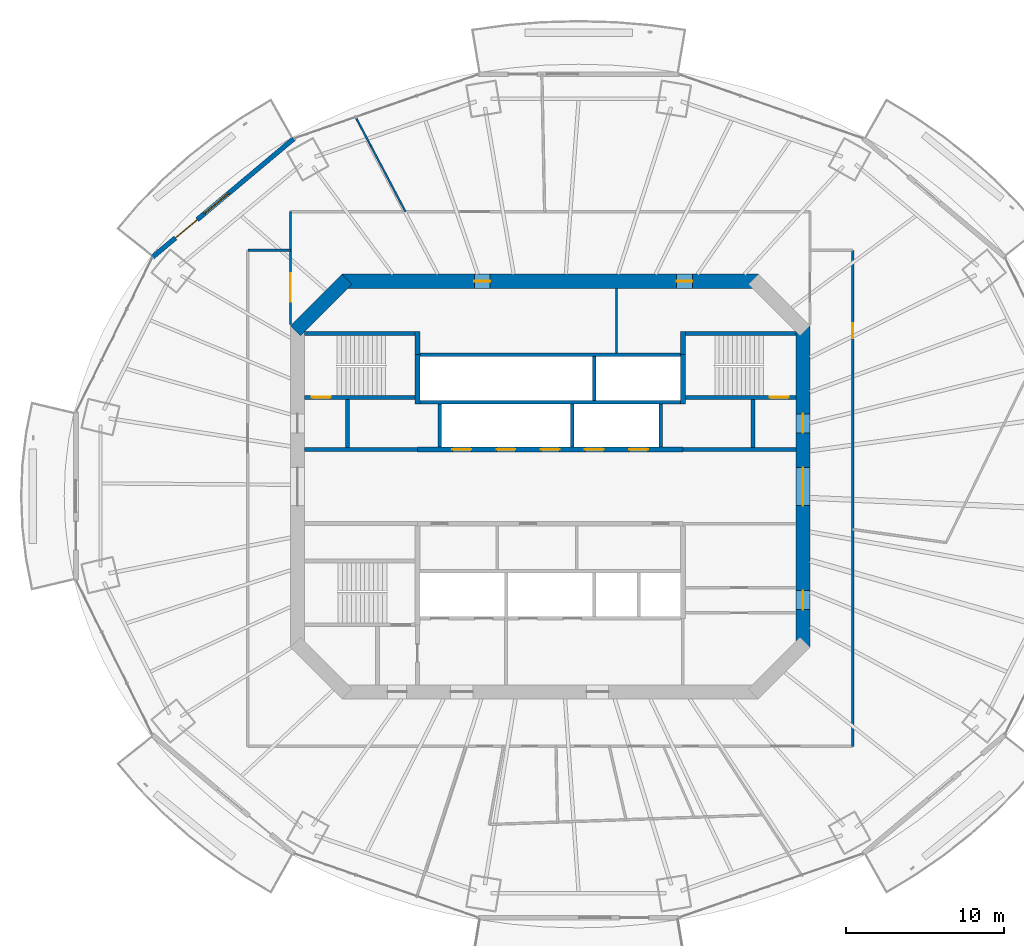
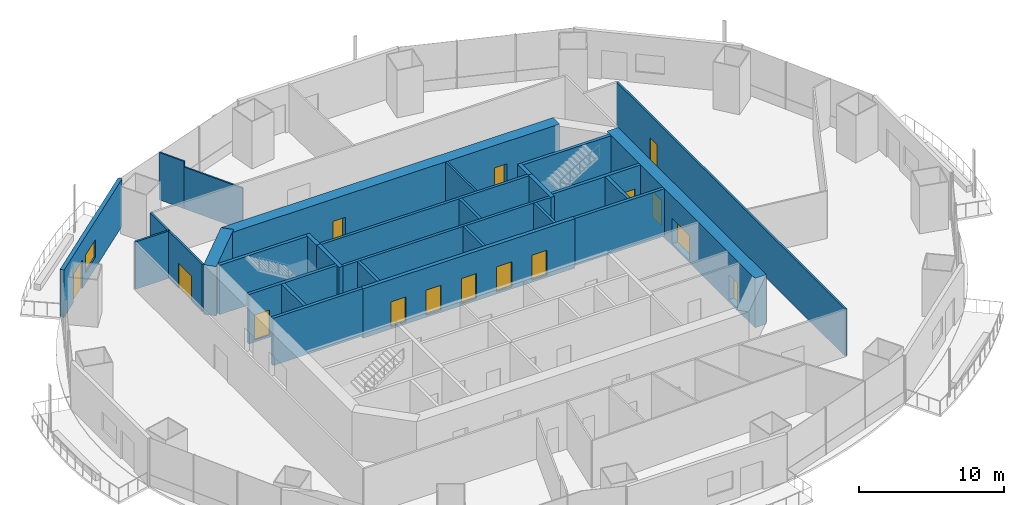
# One storey, part 13 of 20: 29 walls, 15 doors, 1 window, 16 openings.
"""IFC4 building model written with IfcOpenShell, lengths in metres."""

from ifc_helpers import new_model, si_unit, direction, frame, frame_2d, origin, place, context, subcontext, project, spatial, rectangle, extrude, material, layer, layer_set, type_object, element, fill, save


model = new_model("IFC4")

# Units and contexts
model_context = context("Model", 3, precision=1e-05, world=origin(), true_north=direction((0.0, 1.0)))
body_context = subcontext(model_context, "Body", "Model", "MODEL_VIEW")
ifc_project = project(units=[si_unit("LENGTHUNIT", "METRE"), si_unit("AREAUNIT", "SQUARE_METRE"), si_unit("VOLUMEUNIT", "CUBIC_METRE"), si_unit("PLANEANGLEUNIT", "RADIAN"), si_unit("MASSUNIT", "GRAM", prefix="KILO")], contexts=[model_context])

# Site, building, storey
site_placement = place(None, origin())
site = spatial("IfcSite", under=ifc_project, at=site_placement, CompositionType="ELEMENT")
building_placement = place(site_placement, origin())
building = spatial("IfcBuilding", under=site, at=building_placement, Name="Marenthal Gate Tower", CompositionType="ELEMENT")
storey_placement = place(building_placement, frame((0.0, 0.0, 181.800048828125)))
storey = spatial("IfcBuildingStorey", under=building, at=storey_placement, Name="L39", CompositionType="ELEMENT", Elevation=181.800048828125)

# Wall, openings, doors
ifc_material_1 = material(Name="Concrete 60 MPa", Category="concrete")
ifc_layer_1 = layer(ifc_material_1, 0.89990234375)
ifc_layer_set_1 = layer_set([ifc_layer_1], Name="Core shear wall 900")
wall_type_1 = type_object("IfcWallType", Name="Core shear wall 900", PredefinedType="SHEAR", material=ifc_layer_set_1)
wall_1_placement = place(storey_placement, frame((16.0, -10.186279296875, -0.179931640625), z_axis=(0.0, 0.0, 1.0), x_axis=(0.0, 1.0, 0.0)))
wall_1 = element("IfcWall", 1, at=wall_1_placement, inside=storey, type_object=wall_type_1, Name="Core wall 02", PredefinedType="SHEAR", context=body_context, shape_type="SweptSolid", body=[
    extrude(rectangle(XDim=20.37255859375, YDim=0.89990234375, at=frame_2d((10.186279296875, 0.0))), origin(), (0.0, 0.0, 1.0), 4.14990234375),
])
opening_1_placement = place(wall_1_placement, frame((8.986328125, 0.0, 0.179931640625)))
opening_1 = element("IfcOpeningElement", 2, at=opening_1_placement, cuts=wall_1, Name="Opening D003.02", PredefinedType="OPENING", context=body_context, shape_type="SweptSolid", body=[
    extrude(rectangle(XDim=2.39990234375, YDim=2.10009765625, at=frame_2d((1.199951171875, 1.050048828125))), frame((0.0, 0.4599609375, 0.0), z_axis=(0.0, -1.0, 0.0), x_axis=(1.0, 0.0, 0.0)), (0.0, 0.0, 1.0), 0.919921875),
])
opening_2_placement = place(wall_1_placement, frame((13.58642578125, 0.0, 0.179931640625)))
opening_2 = element("IfcOpeningElement", 3, at=opening_2_placement, cuts=wall_1, Name="Opening D001.05", PredefinedType="OPENING", context=body_context, shape_type="SweptSolid", body=[
    extrude(rectangle(XDim=1.199951171875, YDim=2.10009765625, at=frame_2d((0.60009765625, 1.050048828125))), frame((0.0, 0.4599609375, 0.0), z_axis=(0.0, -1.0, 0.0), x_axis=(1.0, 0.0, 0.0)), (0.0, 0.0, 1.0), 0.919921875),
])
opening_3_placement = place(wall_1_placement, frame((2.39990234375, 0.0, 0.179931640625)))
opening_3 = element("IfcOpeningElement", 4, at=opening_3_placement, cuts=wall_1, Name="Opening D006.01", PredefinedType="OPENING", context=body_context, shape_type="SweptSolid", body=[
    extrude(rectangle(XDim=1.199951171875, YDim=2.10009765625, at=frame_2d((0.60009765625, 1.050048828125))), frame((0.0, 0.4599609375, 0.0), z_axis=(0.0, -1.0, 0.0), x_axis=(1.0, 0.0, 0.0)), (0.0, 0.0, 1.0), 0.919921875),
])
ifc_material_2 = material(Name="Steel fire door", Category="steel")
door_type_1 = type_object("IfcDoorType", Name="Double fire door FD 45 2400 x 2100", OperationType="DOUBLE_DOOR_SINGLE_SWING", PredefinedType="DOOR", material=ifc_material_2)
door_1_placement = place(opening_1_placement, origin())
door_1 = element("IfcDoor", 5, at=door_1_placement, inside=storey, type_object=door_type_1, Name="Door D003.02", OperationType="DOUBLE_DOOR_SINGLE_SWING", OverallHeight=2.10009765625, OverallWidth=2.39990234375, PredefinedType="DOOR", context=body_context, shape_type="SweptSolid", body=[
    extrude(rectangle(XDim=2.39990234375, YDim=2.10009765625, at=frame_2d((1.199951171875, 1.050048828125))), frame((0.0, 0.02490234375, 0.0), z_axis=(0.0, -1.0, 0.0), x_axis=(1.0, 0.0, 0.0)), (0.0, 0.0, 1.0), 0.050048828125),
])
fill(opening_1, door_1)
ifc_material_3 = material(Name="Steel fire door", Category="steel")
door_type_2 = type_object("IfcDoorType", Name="Fire door FD 45 1200 x 2100", OperationType="NOTDEFINED", PredefinedType="DOOR", material=ifc_material_3)
door_2_placement = place(opening_3_placement, origin())
door_2 = element("IfcDoor", 6, at=door_2_placement, inside=storey, type_object=door_type_2, Name="Door D006.01", OperationType="SINGLE_SWING_RIGHT", OverallHeight=2.10009765625, OverallWidth=1.199951171875, PredefinedType="DOOR", context=body_context, shape_type="SweptSolid", body=[
    extrude(rectangle(XDim=1.199951171875, YDim=2.10009765625, at=frame_2d((0.60009765625, 1.050048828125))), frame((0.0, 0.02490234375, 0.0), z_axis=(0.0, -1.0, 0.0), x_axis=(1.0, 0.0, 0.0)), (0.0, 0.0, 1.0), 0.050048828125),
])
fill(opening_3, door_2)
ifc_material_4 = material(Name="Steel fire door", Category="steel")
door_type_3 = type_object("IfcDoorType", Name="Fire door FD 90 1200 x 2100", OperationType="NOTDEFINED", PredefinedType="DOOR", material=ifc_material_4)
door_3_placement = place(opening_2_placement, origin())
door_3 = element("IfcDoor", 7, at=door_3_placement, inside=storey, type_object=door_type_3, Name="Door D001.05", OperationType="SINGLE_SWING_RIGHT", OverallHeight=2.10009765625, OverallWidth=1.199951171875, PredefinedType="DOOR", context=body_context, shape_type="SweptSolid", body=[
    extrude(rectangle(XDim=1.199951171875, YDim=2.10009765625, at=frame_2d((0.60009765625, 1.050048828125))), frame((0.0, 0.02490234375, 0.0), z_axis=(0.0, -1.0, 0.0), x_axis=(1.0, 0.0, 0.0)), (0.0, 0.0, 1.0), 0.050048828125),
])
fill(opening_2, door_3)

wall_2_placement = place(storey_placement, frame((13.186279296875, 13.0, -0.179931640625), z_axis=(0.0, 0.0, 1.0), x_axis=(-1.0, 0.0, 0.0)))
wall_2 = element("IfcWall", 8, at=wall_2_placement, inside=storey, type_object=wall_type_1, Name="Core wall 04", PredefinedType="SHEAR", context=body_context, shape_type="SweptSolid", body=[
    extrude(rectangle(XDim=26.37255859375, YDim=0.89990234375, at=frame_2d((13.186279296875, 0.0))), origin(), (0.0, 0.0, 1.0), 4.14990234375),
])
opening_4_placement = place(wall_2_placement, frame((16.993408203125, 0.0, 0.179931640625)))
opening_4 = element("IfcOpeningElement", 9, at=opening_4_placement, cuts=wall_2, Name="Opening D005.04", PredefinedType="OPENING", context=body_context, shape_type="SweptSolid", body=[
    extrude(rectangle(XDim=1.0, YDim=2.10009765625, at=frame_2d((0.5, 1.050048828125))), frame((0.0, 0.4599609375, 0.0), z_axis=(0.0, -1.0, 0.0), x_axis=(1.0, 0.0, 0.0)), (0.0, 0.0, 1.0), 0.919921875),
])
opening_5_placement = place(wall_2_placement, frame((4.179443359375, 0.0, 0.179931640625)))
opening_5 = element("IfcOpeningElement", 10, at=opening_5_placement, cuts=wall_2, Name="Opening D005.05", PredefinedType="OPENING", context=body_context, shape_type="SweptSolid", body=[
    extrude(rectangle(XDim=1.0, YDim=2.10009765625, at=frame_2d((0.5, 1.050048828125))), frame((0.0, 0.4599609375, 0.0), z_axis=(0.0, -1.0, 0.0), x_axis=(1.0, 0.0, 0.0)), (0.0, 0.0, 1.0), 0.919921875),
])
ifc_material_5 = material(Name="Steel fire door", Category="steel")
door_type_4 = type_object("IfcDoorType", Name="Fire door FD 45 1000 x 2100", OperationType="NOTDEFINED", PredefinedType="DOOR", material=ifc_material_5)
door_4_placement = place(opening_4_placement, origin())
door_4 = element("IfcDoor", 11, at=door_4_placement, inside=storey, type_object=door_type_4, Name="Door D005.04", OperationType="SINGLE_SWING_RIGHT", OverallHeight=2.10009765625, OverallWidth=1.0, PredefinedType="DOOR", context=body_context, shape_type="SweptSolid", body=[
    extrude(rectangle(XDim=1.0, YDim=2.10009765625, at=frame_2d((0.5, 1.050048828125))), frame((0.0, 0.02490234375, 0.0), z_axis=(0.0, -1.0, 0.0), x_axis=(1.0, 0.0, 0.0)), (0.0, 0.0, 1.0), 0.050048828125),
])
fill(opening_4, door_4)
door_5_placement = place(opening_5_placement, origin())
door_5 = element("IfcDoor", 12, at=door_5_placement, inside=storey, type_object=door_type_4, Name="Door D005.05", OperationType="SINGLE_SWING_RIGHT", OverallHeight=2.10009765625, OverallWidth=1.0, PredefinedType="DOOR", context=body_context, shape_type="SweptSolid", body=[
    extrude(rectangle(XDim=1.0, YDim=2.10009765625, at=frame_2d((0.5, 1.050048828125))), frame((0.0, 0.02490234375, 0.0), z_axis=(0.0, -1.0, 0.0), x_axis=(1.0, 0.0, 0.0)), (0.0, 0.0, 1.0), 0.050048828125),
])
fill(opening_5, door_5)

# Wall
wall_3_placement = place(storey_placement, frame((-12.8681640625, 13.1318359375, -0.179931640625), z_axis=(0.0, 0.0, 1.0), x_axis=(-0.707106781187, -0.707106781187, 0.0)))
element("IfcWall", 13, at=wall_3_placement, inside=storey, type_object=wall_type_1, Name="Core wall 05", PredefinedType="SHEAR", context=body_context, shape_type="SweptSolid", body=[
    extrude(rectangle(XDim=4.615478515625, YDim=0.89990234375, at=frame_2d((2.3076171875, 0.0))), origin(), (0.0, 0.0, 1.0), 4.14990234375),
])

# Wall, openings, doors
ifc_material_6 = material(Name="Concrete 50 MPa", Category="concrete")
ifc_layer_2 = layer(ifc_material_6, 0.300048828125)
ifc_layer_set_2 = layer_set([ifc_layer_2], Name="Hoistway shear wall 300")
wall_type_2 = type_object("IfcWallType", Name="Hoistway shear wall 300", PredefinedType="SHEAR", material=ifc_layer_set_2)
wall_4_placement = place(storey_placement, frame((-8.39990234375, 2.35009765625, -0.179931640625), z_axis=(0.0, 0.0, 1.0), x_axis=(1.0, 0.0, 0.0)))
wall_4 = element("IfcWall", 14, at=wall_4_placement, inside=storey, type_object=wall_type_2, Name="Hoistway wall 20", PredefinedType="SHEAR", context=body_context, shape_type="SweptSolid", body=[
    extrude(rectangle(XDim=16.7998046875, YDim=0.300048828125, at=frame_2d((8.39990234375, 0.0))), origin(), (0.0, 0.0, 1.0), 4.14990234375),
])
opening_6_placement = place(wall_4_placement, frame((2.199951171875, 0.0, 0.179931640625)))
opening_6 = element("IfcOpeningElement", 15, at=opening_6_placement, cuts=wall_4, Name="Opening LD-MP1", PredefinedType="OPENING", context=body_context, shape_type="SweptSolid", body=[
    extrude(rectangle(XDim=1.199951171875, YDim=2.10009765625, at=frame_2d((0.60009765625, 1.050048828125))), frame((0.0, 0.16015625, 0.0), z_axis=(0.0, -1.0, 0.0), x_axis=(1.0, 0.0, 0.0)), (0.0, 0.0, 1.0), 0.320068359375),
])
opening_7_placement = place(wall_4_placement, frame((5.0, 0.0, 0.179931640625)))
opening_7 = element("IfcOpeningElement", 16, at=opening_7_placement, cuts=wall_4, Name="Opening LD-MP2", PredefinedType="OPENING", context=body_context, shape_type="SweptSolid", body=[
    extrude(rectangle(XDim=1.199951171875, YDim=2.10009765625, at=frame_2d((0.60009765625, 1.050048828125))), frame((0.0, 0.16015625, 0.0), z_axis=(0.0, -1.0, 0.0), x_axis=(1.0, 0.0, 0.0)), (0.0, 0.0, 1.0), 0.320068359375),
])
opening_8_placement = place(wall_4_placement, frame((7.800048828125, 0.0, 0.179931640625)))
opening_8 = element("IfcOpeningElement", 17, at=opening_8_placement, cuts=wall_4, Name="Opening LD-MP3", PredefinedType="OPENING", context=body_context, shape_type="SweptSolid", body=[
    extrude(rectangle(XDim=1.199951171875, YDim=2.10009765625, at=frame_2d((0.60009765625, 1.050048828125))), frame((0.0, 0.16015625, 0.0), z_axis=(0.0, -1.0, 0.0), x_axis=(1.0, 0.0, 0.0)), (0.0, 0.0, 1.0), 0.320068359375),
])
opening_9_placement = place(wall_4_placement, frame((10.60009765625, 0.0, 0.179931640625)))
opening_9 = element("IfcOpeningElement", 18, at=opening_9_placement, cuts=wall_4, Name="Opening LD-MP4", PredefinedType="OPENING", context=body_context, shape_type="SweptSolid", body=[
    extrude(rectangle(XDim=1.199951171875, YDim=2.10009765625, at=frame_2d((0.60009765625, 1.050048828125))), frame((0.0, 0.16015625, 0.0), z_axis=(0.0, -1.0, 0.0), x_axis=(1.0, 0.0, 0.0)), (0.0, 0.0, 1.0), 0.320068359375),
])
opening_10_placement = place(wall_4_placement, frame((13.39990234375, 0.0, 0.179931640625)))
opening_10 = element("IfcOpeningElement", 19, at=opening_10_placement, cuts=wall_4, Name="Opening LD-MP5", PredefinedType="OPENING", context=body_context, shape_type="SweptSolid", body=[
    extrude(rectangle(XDim=1.199951171875, YDim=2.10009765625, at=frame_2d((0.60009765625, 1.050048828125))), frame((0.0, 0.16015625, 0.0), z_axis=(0.0, -1.0, 0.0), x_axis=(1.0, 0.0, 0.0)), (0.0, 0.0, 1.0), 0.320068359375),
])
ifc_material_7 = material(Name="Stainless steel sliding door", Category="steel")
door_type_5 = type_object("IfcDoorType", Name="Lift landing door FD 90 1200 x 2100", OperationType="DOUBLE_DOOR_SLIDING", PredefinedType="DOOR", material=ifc_material_7)
door_6_placement = place(opening_6_placement, origin())
door_6 = element("IfcDoor", 20, at=door_6_placement, inside=storey, type_object=door_type_5, Name="Lift landing door MP1", OperationType="DOUBLE_DOOR_SLIDING", OverallHeight=2.10009765625, OverallWidth=1.199951171875, PredefinedType="DOOR", context=body_context, shape_type="SweptSolid", body=[
    extrude(rectangle(XDim=1.199951171875, YDim=2.10009765625, at=frame_2d((0.60009765625, 1.050048828125))), frame((0.0, 0.02490234375, 0.0), z_axis=(0.0, -1.0, 0.0), x_axis=(1.0, 0.0, 0.0)), (0.0, 0.0, 1.0), 0.050048828125),
])
fill(opening_6, door_6)
door_7_placement = place(opening_7_placement, origin())
door_7 = element("IfcDoor", 21, at=door_7_placement, inside=storey, type_object=door_type_5, Name="Lift landing door MP2", OperationType="DOUBLE_DOOR_SLIDING", OverallHeight=2.10009765625, OverallWidth=1.199951171875, PredefinedType="DOOR", context=body_context, shape_type="SweptSolid", body=[
    extrude(rectangle(XDim=1.199951171875, YDim=2.10009765625, at=frame_2d((0.60009765625, 1.050048828125))), frame((0.0, 0.02490234375, 0.0), z_axis=(0.0, -1.0, 0.0), x_axis=(1.0, 0.0, 0.0)), (0.0, 0.0, 1.0), 0.050048828125),
])
fill(opening_7, door_7)
door_8_placement = place(opening_8_placement, origin())
door_8 = element("IfcDoor", 22, at=door_8_placement, inside=storey, type_object=door_type_5, Name="Lift landing door MP3", OperationType="DOUBLE_DOOR_SLIDING", OverallHeight=2.10009765625, OverallWidth=1.199951171875, PredefinedType="DOOR", context=body_context, shape_type="SweptSolid", body=[
    extrude(rectangle(XDim=1.199951171875, YDim=2.10009765625, at=frame_2d((0.60009765625, 1.050048828125))), frame((0.0, 0.02490234375, 0.0), z_axis=(0.0, -1.0, 0.0), x_axis=(1.0, 0.0, 0.0)), (0.0, 0.0, 1.0), 0.050048828125),
])
fill(opening_8, door_8)
door_9_placement = place(opening_9_placement, origin())
door_9 = element("IfcDoor", 23, at=door_9_placement, inside=storey, type_object=door_type_5, Name="Lift landing door MP4", OperationType="DOUBLE_DOOR_SLIDING", OverallHeight=2.10009765625, OverallWidth=1.199951171875, PredefinedType="DOOR", context=body_context, shape_type="SweptSolid", body=[
    extrude(rectangle(XDim=1.199951171875, YDim=2.10009765625, at=frame_2d((0.60009765625, 1.050048828125))), frame((0.0, 0.02490234375, 0.0), z_axis=(0.0, -1.0, 0.0), x_axis=(1.0, 0.0, 0.0)), (0.0, 0.0, 1.0), 0.050048828125),
])
fill(opening_9, door_9)
door_10_placement = place(opening_10_placement, origin())
door_10 = element("IfcDoor", 24, at=door_10_placement, inside=storey, type_object=door_type_5, Name="Lift landing door MP5", OperationType="DOUBLE_DOOR_SLIDING", OverallHeight=2.10009765625, OverallWidth=1.199951171875, PredefinedType="DOOR", context=body_context, shape_type="SweptSolid", body=[
    extrude(rectangle(XDim=1.199951171875, YDim=2.10009765625, at=frame_2d((0.60009765625, 1.050048828125))), frame((0.0, 0.02490234375, 0.0), z_axis=(0.0, -1.0, 0.0), x_axis=(1.0, 0.0, 0.0)), (0.0, 0.0, 1.0), 0.050048828125),
])
fill(opening_10, door_10)

# Walls
for number, where, z_axis, x_axis, name in (
    (25, (-8.39990234375, 5.239990234375, -0.179931640625), (0.0, 0.0, 1.0), (0.0, 1.0, 0.0), "Hoistway wall 32"),
    (26, (8.39990234375, 5.239990234375, -0.179931640625), (0.0, 0.0, 1.0), (0.0, 1.0, 0.0), "Hoistway wall 47"),
):
    element("IfcWall", number, at=place(storey_placement, frame(where, z_axis=z_axis, x_axis=x_axis)), inside=storey, type_object=wall_type_2, Name=name, PredefinedType="SHEAR", context=body_context, shape_type="SweptSolid", body=[
        extrude(rectangle(XDim=3.110107421875, YDim=0.300048828125, at=frame_2d((1.55517578125, 0.0))), origin(), (0.0, 0.0, 1.0), 4.14990234375),
    ])
ifc_material_8 = material(Name="Concrete 40 MPa", Category="concrete")
ifc_layer_3 = layer(ifc_material_8, 0.219970703125)
ifc_layer_set_3 = layer_set([ifc_layer_3], Name="Hoistway wall 220")
wall_type_3 = type_object("IfcWallType", Name="Hoistway wall 220", PredefinedType="STANDARD", material=ifc_layer_set_3)
for number, where, z_axis, x_axis, name in (
    (27, (-8.25, 5.35009765625, 0.0), (0.0, 0.0, 1.0), (1.0, 0.0, 0.0), "Hoistway wall 22"),
    (28, (-8.25, 8.35009765625, 0.0), (0.0, 0.0, 1.0), (1.0, 0.0, 0.0), "Hoistway wall 25"),
):
    element("IfcWall", number, at=place(storey_placement, frame(where, z_axis=z_axis, x_axis=x_axis)), inside=storey, type_object=wall_type_3, Name=name, PredefinedType="STANDARD", context=body_context, shape_type="SweptSolid", body=[
        extrude(rectangle(XDim=16.5, YDim=0.219970703125, at=frame_2d((8.25, 0.0))), origin(), (0.0, 0.0, 1.0), 3.969970703125),
    ])
for number, where, z_axis, x_axis, name in (
    (29, (-7.0, 2.5, 0.0), (0.0, 0.0, 1.0), (0.0, 1.0, 0.0), "Hoistway wall 34"),
    (30, (1.39990234375, 2.5, 0.0), (0.0, 0.0, 1.0), (0.0, 1.0, 0.0), "Hoistway wall 38"),
):
    element("IfcWall", number, at=place(storey_placement, frame(where, z_axis=z_axis, x_axis=x_axis)), inside=storey, type_object=wall_type_3, Name=name, PredefinedType="STANDARD", context=body_context, shape_type="SweptSolid", body=[
        extrude(rectangle(XDim=2.739990234375, YDim=0.219970703125, at=frame_2d((1.3701171875, 0.0))), origin(), (0.0, 0.0, 1.0), 3.969970703125),
    ])
wall_5_placement = place(storey_placement, frame((2.800048828125, 5.4599609375, 0.0), z_axis=(0.0, 0.0, 1.0), x_axis=(0.0, 1.0, 0.0)))
element("IfcWall", 31, at=wall_5_placement, inside=storey, type_object=wall_type_3, Name="Hoistway wall 41", PredefinedType="STANDARD", context=body_context, shape_type="SweptSolid", body=[
    extrude(rectangle(XDim=2.780029296875, YDim=0.219970703125, at=frame_2d((1.39013671875, 0.0))), origin(), (0.0, 0.0, 1.0), 3.969970703125),
])
wall_6_placement = place(storey_placement, frame((7.0, 2.5, 0.0), z_axis=(0.0, 0.0, 1.0), x_axis=(0.0, 1.0, 0.0)))
element("IfcWall", 32, at=wall_6_placement, inside=storey, type_object=wall_type_3, Name="Hoistway wall 44", PredefinedType="STANDARD", context=body_context, shape_type="SweptSolid", body=[
    extrude(rectangle(XDim=2.739990234375, YDim=0.219970703125, at=frame_2d((1.3701171875, 0.0))), origin(), (0.0, 0.0, 1.0), 3.969970703125),
])
ifc_material_9 = material(Name="Gypsum board on steel studs", Category="steel")
ifc_layer_4 = layer(ifc_material_9, 0.1201171875)
ifc_layer_set_4 = layer_set([ifc_layer_4], Name="Partition 120")
wall_type_4 = type_object("IfcWallType", Name="Partition 120", PredefinedType="PARTITIONING", material=ifc_layer_set_4)
wall_7_placement = place(storey_placement, frame((-9.169189453125, 17.408935546875, 0.0), z_axis=(0.0, 0.0, 1.0), x_axis=(-0.466001927651, 0.884783704318, 0.0)))
element("IfcWall", 33, at=wall_7_placement, inside=storey, type_object=wall_type_4, Name="Partition wall 54", PredefinedType="PARTITIONING", context=body_context, shape_type="SweptSolid", body=[
    extrude(rectangle(XDim=4.7255859375, YDim=0.1201171875, at=frame_2d((2.36279296875, 0.0))), origin(), (0.0, 0.0, 1.0), 3.5029296875),
])
wall_8_placement = place(storey_placement, frame((-11.371337890625, 21.590087890625, 0.0), z_axis=(0.0, 0.0, 1.0), x_axis=(-0.466012622249, 0.884778071555, 0.0)))
element("IfcWall", 34, at=wall_8_placement, inside=storey, type_object=wall_type_4, Name="Partition wall 70", PredefinedType="PARTITIONING", context=body_context, shape_type="SweptSolid", body=[
    extrude(rectangle(XDim=2.041015625, YDim=0.1201171875, at=frame_2d((1.0205078125, 0.0))), origin(), (0.0, 0.0, 1.0), 3.969970703125),
])
ifc_material_10 = material(Name="Gypsum board on steel studs", Category="steel")
ifc_layer_5 = layer(ifc_material_10, 0.14990234375)
ifc_layer_set_5 = layer_set([ifc_layer_5], Name="Partition 150")
wall_type_5 = type_object("IfcWallType", Name="Partition 150", PredefinedType="PARTITIONING", material=ifc_layer_set_5)
wall_9_placement = place(storey_placement, frame((4.199951171875, 8.4599609375, 0.0), z_axis=(0.0, 0.0, 1.0), x_axis=(0.0, 1.0, 0.0)))
element("IfcWall", 35, at=wall_9_placement, inside=storey, type_object=wall_type_5, Name="Partition wall 42", PredefinedType="PARTITIONING", context=body_context, shape_type="SweptSolid", body=[
    extrude(rectangle(XDim=4.090087890625, YDim=0.14990234375, at=frame_2d((2.044921875, 0.0))), origin(), (0.0, 0.0, 1.0), 3.969970703125),
])
wall_10_placement = place(storey_placement, frame((-19.14990234375, 14.954833984375, 0.0), z_axis=(0.0, 0.0, 1.0), x_axis=(1.0, 0.0, 0.0)))
element("IfcWall", 36, at=wall_10_placement, inside=storey, type_object=wall_type_5, Name="Partition wall 51", PredefinedType="PARTITIONING", context=body_context, shape_type="SweptSolid", body=[
    extrude(rectangle(XDim=2.699951171875, YDim=0.14990234375, at=frame_2d((1.35009765625, 0.0))), origin(), (0.0, 0.0, 1.0), 3.969970703125),
])

# Wall, opening, door
wall_11_placement = place(storey_placement, frame((-16.449951171875, 10.25, 0.0), z_axis=(0.0, 0.0, 1.0), x_axis=(0.0, 1.0, 0.0)))
wall_11 = element("IfcWall", 37, at=wall_11_placement, inside=storey, type_object=wall_type_5, Name="Partition wall 52", PredefinedType="PARTITIONING", context=body_context, shape_type="SweptSolid", body=[
    extrude(rectangle(XDim=7.158935546875, YDim=0.14990234375, at=frame_2d((3.57958984375, 0.0))), origin(), (0.0, 0.0, 1.0), 3.969970703125),
])
opening_11_placement = place(wall_11_placement, frame((1.451904296875, 0.0, 0.0)))
opening_11 = element("IfcOpeningElement", 38, at=opening_11_placement, cuts=wall_11, Name="Opening D014.04", PredefinedType="OPENING", context=body_context, shape_type="SweptSolid", body=[
    extrude(rectangle(XDim=1.800048828125, YDim=2.10009765625, at=frame_2d((0.89990234375, 1.050048828125))), frame((0.0, 0.0849609375, 0.0), z_axis=(0.0, -1.0, 0.0), x_axis=(1.0, 0.0, 0.0)), (0.0, 0.0, 1.0), 0.169921875),
])
ifc_material_11 = material(Name="Timber door", Category="wood")
door_type_6 = type_object("IfcDoorType", Name="Double door 1800 x 2100", OperationType="DOUBLE_DOOR_SINGLE_SWING", PredefinedType="DOOR", material=ifc_material_11)
door_11_placement = place(opening_11_placement, origin())
door_11 = element("IfcDoor", 39, at=door_11_placement, inside=storey, type_object=door_type_6, Name="Door D014.04", OperationType="DOUBLE_DOOR_SINGLE_SWING", OverallHeight=2.10009765625, OverallWidth=1.800048828125, PredefinedType="DOOR", context=body_context, shape_type="SweptSolid", body=[
    extrude(rectangle(XDim=1.800048828125, YDim=2.10009765625, at=frame_2d((0.89990234375, 1.050048828125))), frame((0.0, 0.02490234375, 0.0), z_axis=(0.0, -1.0, 0.0), x_axis=(1.0, 0.0, 0.0)), (0.0, 0.0, 1.0), 0.050048828125),
])
fill(opening_11, door_11)

wall_12_placement = place(storey_placement, frame((19.14990234375, 14.954833984375, 0.0), z_axis=(0.0, 0.0, 1.0), x_axis=(0.0, -1.0, 0.0)))
wall_12 = element("IfcWall", 40, at=wall_12_placement, inside=storey, type_object=wall_type_5, Name="Partition wall 66", PredefinedType="PARTITIONING", context=body_context, shape_type="SweptSolid", body=[
    extrude(rectangle(XDim=31.40478515625, YDim=0.14990234375, at=frame_2d((15.702392578125, 0.0))), origin(), (0.0, 0.0, 1.0), 3.969970703125),
])
opening_12_placement = place(wall_12_placement, frame((4.612060546875, 0.0, 0.0)))
opening_12 = element("IfcOpeningElement", 41, at=opening_12_placement, cuts=wall_12, Name="Opening D016.06", PredefinedType="OPENING", context=body_context, shape_type="SweptSolid", body=[
    extrude(rectangle(XDim=0.949951171875, YDim=2.10009765625, at=frame_2d((0.47509765625, 1.050048828125))), frame((0.0, 0.0849609375, 0.0), z_axis=(0.0, -1.0, 0.0), x_axis=(1.0, 0.0, 0.0)), (0.0, 0.0, 1.0), 0.169921875),
])
ifc_material_12 = material(Name="Timber door", Category="wood")
door_type_7 = type_object("IfcDoorType", Name="Door 950 x 2100", OperationType="NOTDEFINED", PredefinedType="DOOR", material=ifc_material_12)
door_12_placement = place(opening_12_placement, frame((0.949951171875, 0.0, 0.0), z_axis=(0.0, 0.0, 1.0), x_axis=(-1.0, 0.0, 0.0)))
door_12 = element("IfcDoor", 42, at=door_12_placement, inside=storey, type_object=door_type_7, Name="Door D016.06", OperationType="SINGLE_SWING_LEFT", OverallHeight=2.10009765625, OverallWidth=0.949951171875, PredefinedType="DOOR", context=body_context, shape_type="SweptSolid", body=[
    extrude(rectangle(XDim=0.949951171875, YDim=2.10009765625, at=frame_2d((0.47509765625, 1.050048828125))), frame((0.0, 0.02490234375, 0.0), z_axis=(0.0, -1.0, 0.0), x_axis=(1.0, 0.0, 0.0)), (0.0, 0.0, 1.0), 0.050048828125),
])
fill(opening_12, door_12)

# Walls
ifc_material_13 = material(Name="Concrete 40 MPa", Category="concrete")
ifc_layer_6 = layer(ifc_material_13, 0.25)
ifc_layer_set_6 = layer_set([ifc_layer_6], Name="Stair enclosure wall 250")
wall_type_6 = type_object("IfcWallType", Name="Stair enclosure wall 250", PredefinedType="STANDARD", material=ifc_layer_set_6)
for number, where, z_axis, x_axis, name in (
    (43, (-15.550048828125, 2.35009765625, 0.0), (0.0, 0.0, 1.0), (1.0, 0.0, 0.0), "Stair wall 19"),
    (44, (8.39990234375, 2.35009765625, 0.0), (0.0, 0.0, 1.0), (1.0, 0.0, 0.0), "Stair wall 21"),
):
    element("IfcWall", number, at=place(storey_placement, frame(where, z_axis=z_axis, x_axis=x_axis)), inside=storey, type_object=wall_type_6, Name=name, PredefinedType="STANDARD", context=body_context, shape_type="SweptSolid", body=[
        extrude(rectangle(XDim=7.150146484375, YDim=0.25, at=frame_2d((3.5751953125, 0.0))), origin(), (0.0, 0.0, 1.0), 3.969970703125),
    ])
for number, where, z_axis, x_axis, name in (
    (45, (-12.85009765625, 2.47509765625, 0.0), (0.0, 0.0, 1.0), (0.0, 1.0, 0.0), "Stair wall 28"),
    (46, (12.85009765625, 2.47509765625, 0.0), (0.0, 0.0, 1.0), (0.0, 1.0, 0.0), "Stair wall 49"),
):
    element("IfcWall", number, at=place(storey_placement, frame(where, z_axis=z_axis, x_axis=x_axis)), inside=storey, type_object=wall_type_6, Name=name, PredefinedType="STANDARD", context=body_context, shape_type="SweptSolid", body=[
        extrude(rectangle(XDim=3.0498046875, YDim=0.25, at=frame_2d((1.52490234375, 0.0))), origin(), (0.0, 0.0, 1.0), 3.969970703125),
    ])

# Wall, opening, door
ifc_material_14 = material(Name="Concrete 50 MPa", Category="concrete")
ifc_layer_7 = layer(ifc_material_14, 0.25)
ifc_layer_set_7 = layer_set([ifc_layer_7], Name="Stair shear wall 250")
wall_type_7 = type_object("IfcWallType", Name="Stair shear wall 250", PredefinedType="SHEAR", material=ifc_layer_set_7)
wall_13_placement = place(storey_placement, frame((-15.550048828125, 5.64990234375, -0.179931640625), z_axis=(0.0, 0.0, 1.0), x_axis=(1.0, 0.0, 0.0)))
wall_13 = element("IfcWall", 47, at=wall_13_placement, inside=storey, type_object=wall_type_7, Name="Stair wall 23", PredefinedType="SHEAR", context=body_context, shape_type="SweptSolid", body=[
    extrude(rectangle(XDim=7.0, YDim=0.25, at=frame_2d((3.5, 0.0))), origin(), (0.0, 0.0, 1.0), 4.14990234375),
])
opening_13_placement = place(wall_13_placement, frame((0.449951171875, 0.0, 0.179931640625)))
opening_13 = element("IfcOpeningElement", 48, at=opening_13_placement, cuts=wall_13, Name="Opening D001.01", PredefinedType="OPENING", context=body_context, shape_type="SweptSolid", body=[
    extrude(rectangle(XDim=1.199951171875, YDim=2.10009765625, at=frame_2d((0.60009765625, 1.050048828125))), frame((0.0, 0.135009765625, 0.0), z_axis=(0.0, -1.0, 0.0), x_axis=(1.0, 0.0, 0.0)), (0.0, 0.0, 1.0), 0.27001953125),
])
door_13_placement = place(opening_13_placement, origin())
door_13 = element("IfcDoor", 49, at=door_13_placement, inside=storey, type_object=door_type_3, Name="Door D001.01", OperationType="SINGLE_SWING_RIGHT", OverallHeight=2.10009765625, OverallWidth=1.199951171875, PredefinedType="DOOR", context=body_context, shape_type="SweptSolid", body=[
    extrude(rectangle(XDim=1.199951171875, YDim=2.10009765625, at=frame_2d((0.60009765625, 1.050048828125))), frame((0.0, 0.02490234375, 0.0), z_axis=(0.0, -1.0, 0.0), x_axis=(1.0, 0.0, 0.0)), (0.0, 0.0, 1.0), 0.050048828125),
])
fill(opening_13, door_13)

wall_14_placement = place(storey_placement, frame((8.550048828125, 5.64990234375, -0.179931640625), z_axis=(0.0, 0.0, 1.0), x_axis=(1.0, 0.0, 0.0)))
wall_14 = element("IfcWall", 50, at=wall_14_placement, inside=storey, type_object=wall_type_7, Name="Stair wall 24", PredefinedType="SHEAR", context=body_context, shape_type="SweptSolid", body=[
    extrude(rectangle(XDim=7.0, YDim=0.25, at=frame_2d((3.5, 0.0))), origin(), (0.0, 0.0, 1.0), 4.14990234375),
])
opening_14_placement = place(wall_14_placement, frame((5.35009765625, 0.0, 0.179931640625)))
opening_14 = element("IfcOpeningElement", 51, at=opening_14_placement, cuts=wall_14, Name="Opening D001.02", PredefinedType="OPENING", context=body_context, shape_type="SweptSolid", body=[
    extrude(rectangle(XDim=1.199951171875, YDim=2.10009765625, at=frame_2d((0.60009765625, 1.050048828125))), frame((0.0, 0.135009765625, 0.0), z_axis=(0.0, -1.0, 0.0), x_axis=(1.0, 0.0, 0.0)), (0.0, 0.0, 1.0), 0.27001953125),
])
door_14_placement = place(opening_14_placement, origin())
door_14 = element("IfcDoor", 52, at=door_14_placement, inside=storey, type_object=door_type_3, Name="Door D001.02", OperationType="SINGLE_SWING_RIGHT", OverallHeight=2.10009765625, OverallWidth=1.199951171875, PredefinedType="DOOR", context=body_context, shape_type="SweptSolid", body=[
    extrude(rectangle(XDim=1.199951171875, YDim=2.10009765625, at=frame_2d((0.60009765625, 1.050048828125))), frame((0.0, 0.02490234375, 0.0), z_axis=(0.0, -1.0, 0.0), x_axis=(1.0, 0.0, 0.0)), (0.0, 0.0, 1.0), 0.050048828125),
])
fill(opening_14, door_14)

# Walls
for number, where, z_axis, x_axis, name in (
    (53, (-15.550048828125, 9.699951171875, -0.179931640625), (0.0, 0.0, 1.0), (1.0, 0.0, 0.0), "Stair wall 26"),
    (54, (8.550048828125, 9.699951171875, -0.179931640625), (0.0, 0.0, 1.0), (1.0, 0.0, 0.0), "Stair wall 27"),
):
    element("IfcWall", number, at=place(storey_placement, frame(where, z_axis=z_axis, x_axis=x_axis)), inside=storey, type_object=wall_type_7, Name=name, PredefinedType="SHEAR", context=body_context, shape_type="SweptSolid", body=[
        extrude(rectangle(XDim=7.0, YDim=0.25, at=frame_2d((3.5, 0.0))), origin(), (0.0, 0.0, 1.0), 4.14990234375),
    ])
ifc_material_15 = material(Name="Concrete 50 MPa", Category="concrete")
ifc_layer_8 = layer(ifc_material_15, 0.300048828125)
ifc_layer_set_8 = layer_set([ifc_layer_8], Name="Stair shear wall 300")
wall_type_8 = type_object("IfcWallType", Name="Stair shear wall 300", PredefinedType="SHEAR", material=ifc_layer_set_8)
for number, where, z_axis, x_axis, name in (
    (55, (-8.39990234375, 8.35009765625, -0.179931640625), (0.0, 0.0, 1.0), (0.0, 1.0, 0.0), "Stair wall 33"),
    (56, (8.39990234375, 8.35009765625, -0.179931640625), (0.0, 0.0, 1.0), (0.0, 1.0, 0.0), "Stair wall 48"),
):
    element("IfcWall", number, at=place(storey_placement, frame(where, z_axis=z_axis, x_axis=x_axis)), inside=storey, type_object=wall_type_8, Name=name, PredefinedType="SHEAR", context=body_context, shape_type="SweptSolid", body=[
        extrude(rectangle(XDim=1.474853515625, YDim=0.300048828125, at=frame_2d((0.7373046875, 0.0))), origin(), (0.0, 0.0, 1.0), 4.14990234375),
    ])

# Wall, openings, door, window
ifc_material_16 = material(Name="Terracotta cladding on insulated concrete-block backing", Category="masonry")
ifc_layer_9 = layer(ifc_material_16, 0.300048828125)
ifc_layer_set_9 = layer_set([ifc_layer_9], Name="Terracotta facade wall 300")
wall_type_9 = type_object("IfcWallType", Name="Terracotta facade wall 300", PredefinedType="SOLIDWALL", material=ifc_layer_set_9)
wall_15_placement = place(storey_placement, frame((-16.232177734375, 22.03759765625, 0.0), z_axis=(0.0, 0.0, 1.0), x_axis=(-0.766150735347, -0.642660914268, 0.0)))
wall_15 = element("IfcWall", 57, at=wall_15_placement, inside=storey, type_object=wall_type_9, Name="Terracotta facade wall L39 bay 6", PredefinedType="SOLIDWALL", context=body_context, shape_type="SweptSolid", body=[
    extrude(rectangle(XDim=11.68798828125, YDim=0.300048828125, at=frame_2d((5.843994140625, 0.0))), origin(), (0.0, 0.0, 1.0), 3.969970703125),
])
opening_15_placement = place(wall_15_placement, frame((7.98828125, 0.0, 0.0)))
opening_15 = element("IfcOpeningElement", 58, at=opening_15_placement, cuts=wall_15, Name="Opening BD-L39-06", PredefinedType="OPENING", context=body_context, shape_type="SweptSolid", body=[
    extrude(rectangle(XDim=1.800048828125, YDim=2.39990234375, at=frame_2d((0.89990234375, 1.199951171875))), frame((0.0, 0.16015625, 0.0), z_axis=(0.0, -1.0, 0.0), x_axis=(1.0, 0.0, 0.0)), (0.0, 0.0, 1.0), 0.320068359375),
])
opening_16_placement = place(wall_15_placement, frame((5.38818359375, 0.0, 0.89990234375)))
opening_16 = element("IfcOpeningElement", 59, at=opening_16_placement, cuts=wall_15, Name="Opening WN2-L39-06", PredefinedType="OPENING", context=body_context, shape_type="SweptSolid", body=[
    extrude(rectangle(XDim=2.0, YDim=1.5, at=frame_2d((1.0, 0.75))), frame((0.0, 0.16015625, 0.0), z_axis=(0.0, -1.0, 0.0), x_axis=(1.0, 0.0, 0.0)), (0.0, 0.0, 1.0), 0.320068359375),
])
ifc_material_17 = material(Name="Aluminium and glass", Category="aluminium")
door_type_8 = type_object("IfcDoorType", Name="Balcony door 1800x2400", OperationType="DOUBLE_DOOR_SINGLE_SWING", PredefinedType="DOOR", material=ifc_material_17)
door_15_placement = place(opening_15_placement, origin())
door_15 = element("IfcDoor", 60, at=door_15_placement, inside=storey, type_object=door_type_8, Name="Balcony door L39 bay 6", OperationType="SINGLE_SWING_LEFT", OverallHeight=2.39990234375, OverallWidth=1.800048828125, PredefinedType="DOOR", context=body_context, shape_type="SweptSolid", body=[
    extrude(rectangle(XDim=1.800048828125, YDim=2.39990234375, at=frame_2d((0.89990234375, 1.199951171875))), frame((0.0, 0.02490234375, 0.0), z_axis=(0.0, -1.0, 0.0), x_axis=(1.0, 0.0, 0.0)), (0.0, 0.0, 1.0), 0.050048828125),
])
fill(opening_15, door_15)
ifc_material_18 = material(Name="Aluminium and glass", Category="aluminium")
window_type = type_object("IfcWindowType", Name="Window 2000x1500", PartitioningType="DOUBLE_PANEL_VERTICAL", PredefinedType="WINDOW", material=ifc_material_18)
window_placement = place(opening_16_placement, origin())
window = element("IfcWindow", 61, at=window_placement, inside=storey, type_object=window_type, Name="Window L39 bay 6", OverallHeight=1.5, OverallWidth=2.0, PartitioningType="SINGLE_PANEL", PredefinedType="WINDOW", context=body_context, shape_type="SweptSolid", body=[
    extrude(rectangle(XDim=2.0, YDim=1.5, at=frame_2d((1.0, 0.75))), frame((0.0, 0.030029296875, 0.0), z_axis=(0.0, -1.0, 0.0), x_axis=(1.0, 0.0, 0.0)), (0.0, 0.0, 1.0), 0.06005859375),
])
fill(opening_16, window)

save(model, "model.ifc")
